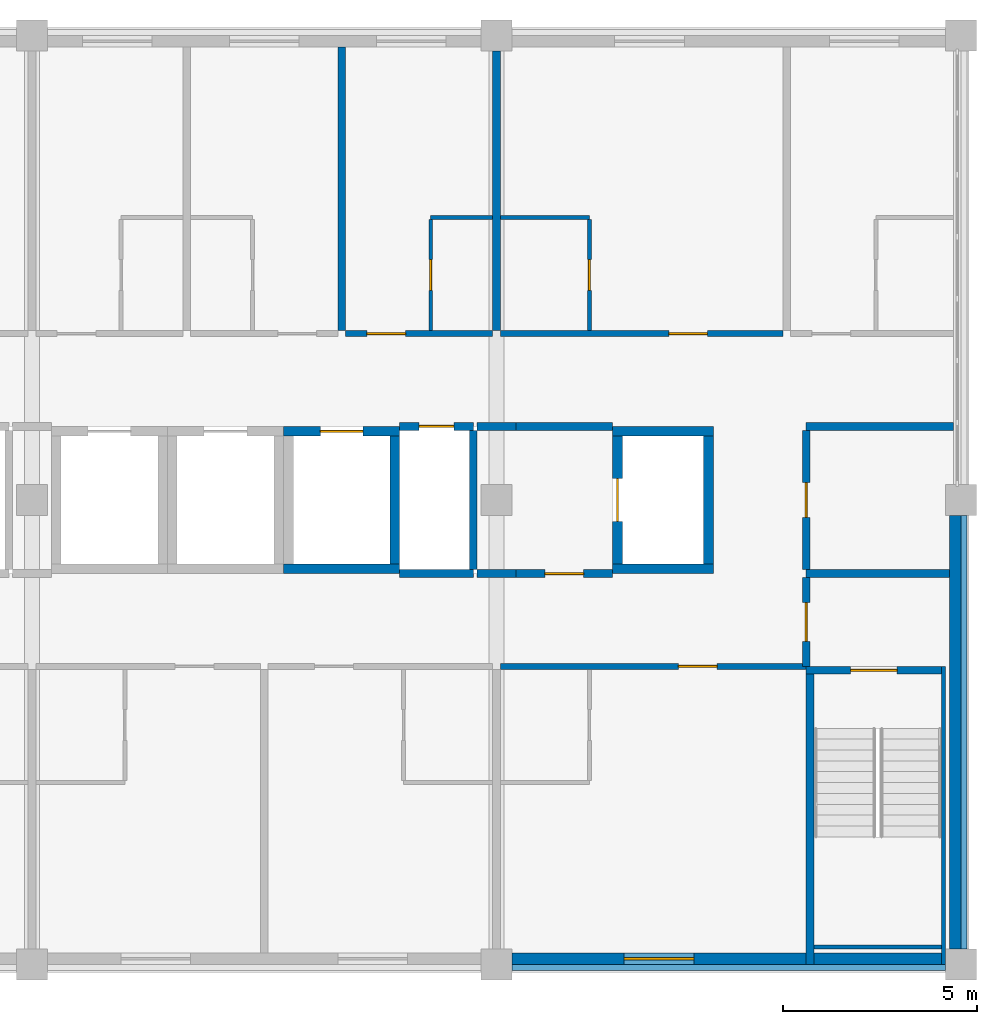
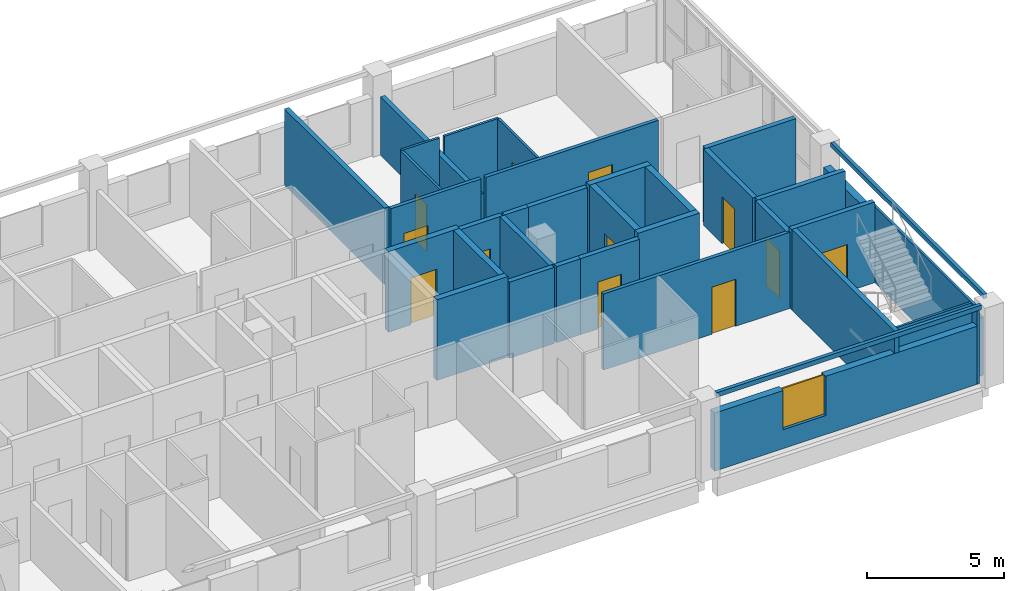
# One storey, part 9 of 11: 35 walls, 12 doors, 1 window, 13 openings.
"""IFC4 building model written with IfcOpenShell, lengths in metres."""

from ifc_helpers import new_model, si_unit, direction, frame, frame_2d, origin, place, context, subcontext, project, spatial, rectangle, extrude, material, layer, layer_set, type_object, element, fill, save


model = new_model("IFC4")

# Units and contexts
model_context = context("Model", 3, precision=1e-05, world=origin(), true_north=direction((0.0, 1.0)))
body_context = subcontext(model_context, "Body", "Model", "MODEL_VIEW")
ifc_project = project(units=[si_unit("LENGTHUNIT", "METRE"), si_unit("AREAUNIT", "SQUARE_METRE"), si_unit("VOLUMEUNIT", "CUBIC_METRE"), si_unit("PLANEANGLEUNIT", "RADIAN"), si_unit("MASSUNIT", "GRAM", prefix="KILO")], contexts=[model_context])

# Site, building, storey
site_placement = place(None, origin())
site = spatial("IfcSite", under=ifc_project, at=site_placement, CompositionType="ELEMENT")
building_placement = place(site_placement, origin())
building = spatial("IfcBuilding", under=site, at=building_placement, Name="Lilac Gate Convention Centre", CompositionType="ELEMENT")
storey_placement = place(building_placement, frame((0.0, 0.0, 42.60009765625)))
storey = spatial("IfcBuildingStorey", under=building, at=storey_placement, Name="L10", CompositionType="ELEMENT", Elevation=42.60009765625)

# Walls
ifc_material_1 = material(Name="Concrete C50", Category="concrete")
ifc_layer_1 = layer(ifc_material_1, 0.10009765625)
ifc_layer_set_1 = layer_set([ifc_layer_1], Name="Concrete C50")
wall_type_1 = type_object("IfcWallType", Name="Core wall 100 C50", PredefinedType="SHEAR", material=ifc_layer_set_1)
wall_1_placement = place(storey_placement, frame((89.550048828125, 229.699951171875, 0.0), z_axis=(0.0, 0.0, 1.0), x_axis=(0.0, -1.0, 0.0)))
element("IfcWall", 1, at=wall_1_placement, inside=storey, type_object=wall_type_1, Name="CRW9 core wall TS-EX L10 1", PredefinedType="SHEAR", context=body_context, shape_type="SweptSolid", body=[
    extrude(rectangle(XDim=7.699951171875, YDim=0.10009765625, at=frame_2d((3.85009765625, 0.0))), origin(), (0.0, 0.0, 1.0), 3.39990234375),
])
wall_2_placement = place(storey_placement, frame((89.5, 222.449951171875, 0.0), z_axis=(0.0, 0.0, 1.0), x_axis=(-1.0, 0.0, 0.0)))
element("IfcWall", 2, at=wall_2_placement, inside=storey, type_object=wall_type_1, Name="CRW9 core wall TS-EX L10 2", PredefinedType="SHEAR", context=body_context, shape_type="SweptSolid", body=[
    extrude(rectangle(XDim=3.300048828125, YDim=0.10009765625, at=frame_2d((1.64990234375, 0.0))), origin(), (0.0, 0.0, 1.0), 3.39990234375),
])

# Wall, opening, door
ifc_layer_2 = layer(ifc_material_1, 0.199951171875)
ifc_layer_set_2 = layer_set([ifc_layer_2], Name="Concrete C50")
wall_type_2 = type_object("IfcWallType", Name="Core wall 200 C50", PredefinedType="SHEAR", material=ifc_layer_set_2)
wall_3_placement = place(storey_placement, frame((89.5, 229.60009765625, 0.0), z_axis=(0.0, 0.0, 1.0), x_axis=(-1.0, 0.0, 0.0)))
wall_3 = element("IfcWall", 3, at=wall_3_placement, inside=storey, type_object=wall_type_2, Name="CRW6 core wall TS-E L10 1", PredefinedType="SHEAR", context=body_context, shape_type="SweptSolid", body=[
    extrude(rectangle(XDim=3.5, YDim=0.199951171875, at=frame_2d((1.75, 0.0))), origin(), (0.0, 0.0, 1.0), 3.599853515625),
])
opening_1_placement = place(wall_3_placement, frame((1.14990234375, 0.0, 0.0)))
opening_1 = element("IfcOpeningElement", 4, at=opening_1_placement, cuts=wall_3, Name="Opening T10-052", PredefinedType="OPENING", context=body_context, shape_type="SweptSolid", body=[
    extrude(rectangle(XDim=1.199951171875, YDim=2.10009765625, at=frame_2d((0.60009765625, 1.050048828125))), frame((0.0, 0.10986328125, 0.0), z_axis=(0.0, -1.0, 0.0), x_axis=(1.0, 0.0, 0.0)), (0.0, 0.0, 1.0), 0.219970703125),
])
ifc_material_2 = material(Name="Steel Q235B", Category="steel")
door_type_1 = type_object("IfcDoorType", Name="Stair door 1200", OperationType="SINGLE_SWING_LEFT", PredefinedType="DOOR", material=ifc_material_2)
door_1_placement = place(opening_1_placement, origin())
door_1 = element("IfcDoor", 5, at=door_1_placement, inside=storey, type_object=door_type_1, Name="Stair door SE L10", OperationType="SINGLE_SWING_RIGHT", OverallHeight=2.10009765625, OverallWidth=1.199951171875, PredefinedType="DOOR", context=body_context, shape_type="SweptSolid", body=[
    extrude(rectangle(XDim=1.199951171875, YDim=2.10009765625, at=frame_2d((0.60009765625, 1.050048828125))), frame((0.0, 0.02490234375, 0.0), z_axis=(0.0, -1.0, 0.0), x_axis=(1.0, 0.0, 0.0)), (0.0, 0.0, 1.0), 0.050048828125),
])
fill(opening_1, door_1)

# Walls
wall_4_placement = place(storey_placement, frame((86.10009765625, 222.0, 0.0), z_axis=(0.0, 0.0, 1.0), x_axis=(0.0, 1.0, 0.0)))
element("IfcWall", 6, at=wall_4_placement, inside=storey, type_object=wall_type_2, Name="CRW6 core wall TS-E L10 2", PredefinedType="SHEAR", context=body_context, shape_type="SweptSolid", body=[
    extrude(rectangle(XDim=7.5, YDim=0.199951171875, at=frame_2d((3.75, 0.0))), origin(), (0.0, 0.0, 1.0), 3.599853515625),
])
ifc_layer_3 = layer(ifc_material_1, 0.25)
ifc_layer_set_3 = layer_set([ifc_layer_3], Name="Concrete C50")
wall_type_3 = type_object("IfcWallType", Name="Core wall 250 C50", PredefinedType="SHEAR", material=ifc_layer_set_3)
wall_5_placement = place(storey_placement, frame((72.5, 232.22509765625, 0.0), z_axis=(0.0, 0.0, 1.0), x_axis=(1.0, 0.0, 0.0)))
element("IfcWall", 7, at=wall_5_placement, inside=storey, type_object=wall_type_3, Name="CRW4 core wall TC L10 21", PredefinedType="SHEAR", context=body_context, shape_type="SweptSolid", body=[
    extrude(rectangle(XDim=3.0, YDim=0.25, at=frame_2d((1.5, 0.0))), origin(), (0.0, 0.0, 1.0), 3.599853515625),
])

# Wall, opening, door
wall_6_placement = place(storey_placement, frame((72.5, 235.77490234375, 0.0), z_axis=(0.0, 0.0, 1.0), x_axis=(1.0, 0.0, 0.0)))
wall_6 = element("IfcWall", 8, at=wall_6_placement, inside=storey, type_object=wall_type_3, Name="CRW4 core wall TC L10 22", PredefinedType="SHEAR", context=body_context, shape_type="SweptSolid", body=[
    extrude(rectangle(XDim=3.0, YDim=0.25, at=frame_2d((1.5, 0.0))), origin(), (0.0, 0.0, 1.0), 3.599853515625),
])
opening_2_placement = place(wall_6_placement, frame((0.949951171875, 0.0, 0.0)))
opening_2 = element("IfcOpeningElement", 9, at=opening_2_placement, cuts=wall_6, Name="Opening T10-047", PredefinedType="OPENING", context=body_context, shape_type="SweptSolid", body=[
    extrude(rectangle(XDim=1.10009765625, YDim=2.10009765625, at=frame_2d((0.550048828125, 1.050048828125))), frame((0.0, 0.135009765625, 0.0), z_axis=(0.0, -1.0, 0.0), x_axis=(1.0, 0.0, 0.0)), (0.0, 0.0, 1.0), 0.27001953125),
])
ifc_material_3 = material(Name="Stainless steel 304", Category="steel")
door_type_2 = type_object("IfcDoorType", Name="Lift landing door 1100", OperationType="SLIDING_TO_LEFT", PredefinedType="DOOR", material=ifc_material_3)
door_2_placement = place(opening_2_placement, origin())
door_2 = element("IfcDoor", 10, at=door_2_placement, inside=storey, type_object=door_type_2, Name="Lift landing door TP6 L10", OperationType="SLIDING_TO_LEFT", OverallHeight=2.10009765625, OverallWidth=1.10009765625, PredefinedType="DOOR", context=body_context, shape_type="SweptSolid", body=[
    extrude(rectangle(XDim=1.10009765625, YDim=2.10009765625, at=frame_2d((0.550048828125, 1.050048828125))), frame((0.0, 0.02490234375, 0.0), z_axis=(0.0, -1.0, 0.0), x_axis=(1.0, 0.0, 0.0)), (0.0, 0.0, 1.0), 0.050048828125),
])
fill(opening_2, door_2)

# Walls
wall_7_placement = place(storey_placement, frame((75.375, 232.35009765625, 0.0), z_axis=(0.0, 0.0, 1.0), x_axis=(0.0, 1.0, 0.0)))
element("IfcWall", 11, at=wall_7_placement, inside=storey, type_object=wall_type_3, Name="CRW4 core wall TC L10 24", PredefinedType="SHEAR", context=body_context, shape_type="SweptSolid", body=[
    extrude(rectangle(XDim=3.2998046875, YDim=0.25, at=frame_2d((1.64990234375, 0.0))), origin(), (0.0, 0.0, 1.0), 3.599853515625),
])
for number, where, z_axis, x_axis, name in (
    (12, (81.0, 232.22509765625, 0.0), (0.0, 0.0, 1.0), (1.0, 0.0, 0.0), "CRW4 core wall TC L10 33"),
    (13, (81.0, 235.77490234375, 0.0), (0.0, 0.0, 1.0), (1.0, 0.0, 0.0), "CRW4 core wall TC L10 34"),
):
    element("IfcWall", number, at=place(storey_placement, frame(where, z_axis=z_axis, x_axis=x_axis)), inside=storey, type_object=wall_type_3, Name=name, PredefinedType="SHEAR", context=body_context, shape_type="SweptSolid", body=[
        extrude(rectangle(XDim=2.60009765625, YDim=0.25, at=frame_2d((1.300048828125, 0.0))), origin(), (0.0, 0.0, 1.0), 3.599853515625),
    ])

# Wall, opening, door
wall_8_placement = place(storey_placement, frame((81.125, 232.35009765625, 0.0), z_axis=(0.0, 0.0, 1.0), x_axis=(0.0, 1.0, 0.0)))
wall_8 = element("IfcWall", 14, at=wall_8_placement, inside=storey, type_object=wall_type_3, Name="CRW4 core wall TC L10 35", PredefinedType="SHEAR", context=body_context, shape_type="SweptSolid", body=[
    extrude(rectangle(XDim=3.2998046875, YDim=0.25, at=frame_2d((1.64990234375, 0.0))), origin(), (0.0, 0.0, 1.0), 3.599853515625),
])
opening_3_placement = place(wall_8_placement, frame((1.10009765625, 0.0, 0.0)))
opening_3 = element("IfcOpeningElement", 15, at=opening_3_placement, cuts=wall_8, Name="Opening T10-050", PredefinedType="OPENING", context=body_context, shape_type="SweptSolid", body=[
    extrude(rectangle(XDim=1.10009765625, YDim=2.10009765625, at=frame_2d((0.550048828125, 1.050048828125))), frame((0.0, 0.135009765625, 0.0), z_axis=(0.0, -1.0, 0.0), x_axis=(1.0, 0.0, 0.0)), (0.0, 0.0, 1.0), 0.27001953125),
])
door_3_placement = place(opening_3_placement, origin())
door_3 = element("IfcDoor", 16, at=door_3_placement, inside=storey, type_object=door_type_2, Name="Lift landing door TF1 L10", OperationType="SLIDING_TO_LEFT", OverallHeight=2.10009765625, OverallWidth=1.10009765625, PredefinedType="DOOR", context=body_context, shape_type="SweptSolid", body=[
    extrude(rectangle(XDim=1.10009765625, YDim=2.10009765625, at=frame_2d((0.550048828125, 1.050048828125))), frame((0.0, 0.02490234375, 0.0), z_axis=(0.0, -1.0, 0.0), x_axis=(1.0, 0.0, 0.0)), (0.0, 0.0, 1.0), 0.050048828125),
])
fill(opening_3, door_3)

# Wall
wall_9_placement = place(storey_placement, frame((83.47509765625, 232.35009765625, 0.0), z_axis=(0.0, 0.0, 1.0), x_axis=(0.0, 1.0, 0.0)))
element("IfcWall", 17, at=wall_9_placement, inside=storey, type_object=wall_type_3, Name="CRW4 core wall TC L10 36", PredefinedType="SHEAR", context=body_context, shape_type="SweptSolid", body=[
    extrude(rectangle(XDim=3.2998046875, YDim=0.25, at=frame_2d((1.64990234375, 0.0))), origin(), (0.0, 0.0, 1.0), 3.599853515625),
])

# Wall, opening, door
ifc_material_4 = material(Name="Gypsum board on steel stud", Category="steel")
ifc_layer_4 = layer(ifc_material_4, 0.14990234375)
ifc_layer_set_4 = layer_set([ifc_layer_4], Name="Gypsum board on steel stud")
wall_type_4 = type_object("IfcWallType", Name="Corridor wall 150", PredefinedType="PARTITIONING", material=ifc_layer_set_4)
wall_10_placement = place(storey_placement, frame((86.0, 229.699951171875, 0.0), z_axis=(0.0, 0.0, 1.0), x_axis=(-1.0, 0.0, 0.0)))
wall_10 = element("IfcWall", 18, at=wall_10_placement, inside=storey, type_object=wall_type_4, Name="Corridor wall 150 front 1008", PredefinedType="PARTITIONING", context=body_context, shape_type="SweptSolid", body=[
    extrude(rectangle(XDim=7.89990234375, YDim=0.14990234375, at=frame_2d((3.949951171875, 0.0))), origin(), (0.0, 0.0, 1.0), 3.39990234375),
])
opening_4_placement = place(wall_10_placement, frame((2.300048828125, 0.0, 0.0)))
opening_4 = element("IfcOpeningElement", 19, at=opening_4_placement, cuts=wall_10, Name="Opening T10-022", PredefinedType="OPENING", context=body_context, shape_type="SweptSolid", body=[
    extrude(rectangle(XDim=1.0, YDim=2.10009765625, at=frame_2d((0.5, 1.050048828125))), frame((0.0, 0.0849609375, 0.0), z_axis=(0.0, -1.0, 0.0), x_axis=(1.0, 0.0, 0.0)), (0.0, 0.0, 1.0), 0.169921875),
])
ifc_material_5 = material(Name="Timber", Category="wood")
door_type_3 = type_object("IfcDoorType", Name="Guest room entrance door 1000", OperationType="SINGLE_SWING_LEFT", PredefinedType="DOOR", material=ifc_material_5)
door_4_placement = place(opening_4_placement, origin())
door_4 = element("IfcDoor", 20, at=door_4_placement, inside=storey, type_object=door_type_3, Name="Guest room door 1008", OperationType="SINGLE_SWING_RIGHT", OverallHeight=2.10009765625, OverallWidth=1.0, PredefinedType="DOOR", context=body_context, shape_type="SweptSolid", body=[
    extrude(rectangle(XDim=1.0, YDim=2.10009765625, at=frame_2d((0.5, 1.050048828125))), frame((0.0, 0.02490234375, 0.0), z_axis=(0.0, -1.0, 0.0), x_axis=(1.0, 0.0, 0.0)), (0.0, 0.0, 1.0), 0.050048828125),
])
fill(opening_4, door_4)

wall_11_placement = place(storey_placement, frame((74.10009765625, 238.300048828125, 0.0), z_axis=(0.0, 0.0, 1.0), x_axis=(1.0, 0.0, 0.0)))
wall_11 = element("IfcWall", 21, at=wall_11_placement, inside=storey, type_object=wall_type_4, Name="Corridor wall 150 front 1015", PredefinedType="PARTITIONING", context=body_context, shape_type="SweptSolid", body=[
    extrude(rectangle(XDim=3.7998046875, YDim=0.14990234375, at=frame_2d((1.89990234375, 0.0))), origin(), (0.0, 0.0, 1.0), 3.39990234375),
])
opening_5_placement = place(wall_11_placement, frame((0.550048828125, 0.0, 0.0)))
opening_5 = element("IfcOpeningElement", 22, at=opening_5_placement, cuts=wall_11, Name="Opening T10-036", PredefinedType="OPENING", context=body_context, shape_type="SweptSolid", body=[
    extrude(rectangle(XDim=1.0, YDim=2.10009765625, at=frame_2d((0.5, 1.050048828125))), frame((0.0, 0.0849609375, 0.0), z_axis=(0.0, -1.0, 0.0), x_axis=(1.0, 0.0, 0.0)), (0.0, 0.0, 1.0), 0.169921875),
])
door_5_placement = place(opening_5_placement, origin())
door_5 = element("IfcDoor", 23, at=door_5_placement, inside=storey, type_object=door_type_3, Name="Guest room door 1015", OperationType="SINGLE_SWING_LEFT", OverallHeight=2.10009765625, OverallWidth=1.0, PredefinedType="DOOR", context=body_context, shape_type="SweptSolid", body=[
    extrude(rectangle(XDim=1.0, YDim=2.10009765625, at=frame_2d((0.5, 1.050048828125))), frame((0.0, 0.02490234375, 0.0), z_axis=(0.0, -1.0, 0.0), x_axis=(1.0, 0.0, 0.0)), (0.0, 0.0, 1.0), 0.050048828125),
])
fill(opening_5, door_5)

wall_12_placement = place(storey_placement, frame((78.10009765625, 238.300048828125, 0.0), z_axis=(0.0, 0.0, 1.0), x_axis=(1.0, 0.0, 0.0)))
wall_12 = element("IfcWall", 24, at=wall_12_placement, inside=storey, type_object=wall_type_4, Name="Corridor wall 150 front 1016", PredefinedType="PARTITIONING", context=body_context, shape_type="SweptSolid", body=[
    extrude(rectangle(XDim=7.2998046875, YDim=0.14990234375, at=frame_2d((3.64990234375, 0.0))), origin(), (0.0, 0.0, 1.0), 3.39990234375),
])
opening_6_placement = place(wall_12_placement, frame((4.35009765625, 0.0, 0.0)))
opening_6 = element("IfcOpeningElement", 25, at=opening_6_placement, cuts=wall_12, Name="Opening T10-038", PredefinedType="OPENING", context=body_context, shape_type="SweptSolid", body=[
    extrude(rectangle(XDim=1.0, YDim=2.10009765625, at=frame_2d((0.5, 1.050048828125))), frame((0.0, 0.0849609375, 0.0), z_axis=(0.0, -1.0, 0.0), x_axis=(1.0, 0.0, 0.0)), (0.0, 0.0, 1.0), 0.169921875),
])
door_6_placement = place(opening_6_placement, origin())
door_6 = element("IfcDoor", 26, at=door_6_placement, inside=storey, type_object=door_type_3, Name="Guest room door 1016", OperationType="SINGLE_SWING_LEFT", OverallHeight=2.10009765625, OverallWidth=1.0, PredefinedType="DOOR", context=body_context, shape_type="SweptSolid", body=[
    extrude(rectangle(XDim=1.0, YDim=2.10009765625, at=frame_2d((0.5, 1.050048828125))), frame((0.0, 0.02490234375, 0.0), z_axis=(0.0, -1.0, 0.0), x_axis=(1.0, 0.0, 0.0)), (0.0, 0.0, 1.0), 0.050048828125),
])
fill(opening_6, door_6)

# Wall
ifc_layer_5 = layer(ifc_material_4, 0.10009765625)
ifc_layer_set_5 = layer_set([ifc_layer_5], Name="Gypsum board on steel stud")
wall_type_5 = type_object("IfcWallType", Name="En-suite wall 100", PredefinedType="PARTITIONING", material=ifc_layer_set_5)
wall_13_placement = place(storey_placement, frame((76.300048828125, 241.300048828125, 0.0), z_axis=(0.0, 0.0, 1.0), x_axis=(1.0, 0.0, 0.0)))
element("IfcWall", 27, at=wall_13_placement, inside=storey, type_object=wall_type_5, Name="En-suite wall 100 bath 1015", PredefinedType="PARTITIONING", context=body_context, shape_type="SweptSolid", body=[
    extrude(rectangle(XDim=1.599853515625, YDim=0.10009765625, at=frame_2d((0.7998046875, 0.0))), origin(), (0.0, 0.0, 1.0), 3.39990234375),
])

# Wall, opening, door
wall_14_placement = place(storey_placement, frame((76.300048828125, 238.375, 0.0), z_axis=(0.0, 0.0, 1.0), x_axis=(0.0, 1.0, 0.0)))
wall_14 = element("IfcWall", 28, at=wall_14_placement, inside=storey, type_object=wall_type_5, Name="En-suite wall 100 bath side 1015", PredefinedType="PARTITIONING", context=body_context, shape_type="SweptSolid", body=[
    extrude(rectangle(XDim=2.875, YDim=0.10009765625, at=frame_2d((1.4375, 0.0))), origin(), (0.0, 0.0, 1.0), 3.39990234375),
])
opening_7_placement = place(wall_14_placement, frame((1.03759765625, 0.0, 0.0)))
opening_7 = element("IfcOpeningElement", 29, at=opening_7_placement, cuts=wall_14, Name="Opening T10-037", PredefinedType="OPENING", context=body_context, shape_type="SweptSolid", body=[
    extrude(rectangle(XDim=0.800048828125, YDim=2.10009765625, at=frame_2d((0.39990234375, 1.050048828125))), frame((0.0, 0.06005859375, 0.0), z_axis=(0.0, -1.0, 0.0), x_axis=(1.0, 0.0, 0.0)), (0.0, 0.0, 1.0), 0.1201171875),
])
door_type_4 = type_object("IfcDoorType", Name="En-suite door 800", OperationType="SINGLE_SWING_LEFT", PredefinedType="DOOR", material=ifc_material_5)
door_7_placement = place(opening_7_placement, origin())
door_7 = element("IfcDoor", 30, at=door_7_placement, inside=storey, type_object=door_type_4, Name="En-suite door 1015", OperationType="SINGLE_SWING_LEFT", OverallHeight=2.10009765625, OverallWidth=0.800048828125, PredefinedType="DOOR", context=body_context, shape_type="SweptSolid", body=[
    extrude(rectangle(XDim=0.800048828125, YDim=2.10009765625, at=frame_2d((0.39990234375, 1.050048828125))), frame((0.0, 0.02490234375, 0.0), z_axis=(0.0, -1.0, 0.0), x_axis=(1.0, 0.0, 0.0)), (0.0, 0.0, 1.0), 0.050048828125),
])
fill(opening_7, door_7)

# Wall
wall_15_placement = place(storey_placement, frame((78.10009765625, 241.300048828125, 0.0), z_axis=(0.0, 0.0, 1.0), x_axis=(1.0, 0.0, 0.0)))
element("IfcWall", 31, at=wall_15_placement, inside=storey, type_object=wall_type_5, Name="En-suite wall 100 bath 1016", PredefinedType="PARTITIONING", context=body_context, shape_type="SweptSolid", body=[
    extrude(rectangle(XDim=2.2998046875, YDim=0.10009765625, at=frame_2d((1.14990234375, 0.0))), origin(), (0.0, 0.0, 1.0), 3.39990234375),
])

# Wall, opening, door
wall_16_placement = place(storey_placement, frame((80.39990234375, 241.25, 0.0), z_axis=(0.0, 0.0, 1.0), x_axis=(0.0, -1.0, 0.0)))
wall_16 = element("IfcWall", 32, at=wall_16_placement, inside=storey, type_object=wall_type_5, Name="En-suite wall 100 bath side 1016", PredefinedType="PARTITIONING", context=body_context, shape_type="SweptSolid", body=[
    extrude(rectangle(XDim=2.875, YDim=0.10009765625, at=frame_2d((1.4375, 0.0))), origin(), (0.0, 0.0, 1.0), 3.39990234375),
])
opening_8_placement = place(wall_16_placement, frame((1.03759765625, 0.0, 0.0)))
opening_8 = element("IfcOpeningElement", 33, at=opening_8_placement, cuts=wall_16, Name="Opening T10-039", PredefinedType="OPENING", context=body_context, shape_type="SweptSolid", body=[
    extrude(rectangle(XDim=0.800048828125, YDim=2.10009765625, at=frame_2d((0.39990234375, 1.050048828125))), frame((0.0, 0.06005859375, 0.0), z_axis=(0.0, -1.0, 0.0), x_axis=(1.0, 0.0, 0.0)), (0.0, 0.0, 1.0), 0.1201171875),
])
door_8_placement = place(opening_8_placement, origin())
door_8 = element("IfcDoor", 34, at=door_8_placement, inside=storey, type_object=door_type_4, Name="En-suite door 1016", OperationType="SINGLE_SWING_RIGHT", OverallHeight=2.10009765625, OverallWidth=0.800048828125, PredefinedType="DOOR", context=body_context, shape_type="SweptSolid", body=[
    extrude(rectangle(XDim=0.800048828125, YDim=2.10009765625, at=frame_2d((0.39990234375, 1.050048828125))), frame((0.0, 0.02490234375, 0.0), z_axis=(0.0, -1.0, 0.0), x_axis=(1.0, 0.0, 0.0)), (0.0, 0.0, 1.0), 0.050048828125),
])
fill(opening_8, door_8)

# Walls
ifc_layer_6 = layer(ifc_material_4, 0.199951171875)
ifc_layer_set_6 = layer_set([ifc_layer_6], Name="Gypsum board on steel stud")
wall_type_6 = type_object("IfcWallType", Name="Guest room party wall 200", PredefinedType="PARTITIONING", material=ifc_layer_set_6)
wall_17_placement = place(storey_placement, frame((74.0, 245.7001953125, 0.0), z_axis=(0.0, 0.0, 1.0), x_axis=(0.0, -1.0, 0.0)))
element("IfcWall", 35, at=wall_17_placement, inside=storey, type_object=wall_type_6, Name="Guest room party wall 200 party 74.0", PredefinedType="PARTITIONING", context=body_context, shape_type="SweptSolid", body=[
    extrude(rectangle(XDim=7.3251953125, YDim=0.199951171875, at=frame_2d((3.66259765625, 0.0))), origin(), (0.0, 0.0, 1.0), 3.39990234375),
])
wall_18_placement = place(storey_placement, frame((78.0, 245.60009765625, 0.0), z_axis=(0.0, 0.0, 1.0), x_axis=(0.0, -1.0, 0.0)))
element("IfcWall", 36, at=wall_18_placement, inside=storey, type_object=wall_type_6, Name="Guest room party wall 200 party 78.0", PredefinedType="PARTITIONING", context=body_context, shape_type="SweptSolid", body=[
    extrude(rectangle(XDim=7.22509765625, YDim=0.199951171875, at=frame_2d((3.612548828125, 0.0))), origin(), (0.0, 0.0, 1.0), 2.599853515625),
])

# Wall, opening, door
ifc_layer_7 = layer(ifc_material_4, 0.199951171875)
ifc_layer_set_7 = layer_set([ifc_layer_7], Name="Gypsum board on steel stud")
wall_type_7 = type_object("IfcWallType", Name="Lobby wall 200", PredefinedType="PARTITIONING", material=ifc_layer_set_7)
wall_19_placement = place(storey_placement, frame((78.5, 232.10009765625, 0.0), z_axis=(0.0, 0.0, 1.0), x_axis=(1.0, 0.0, 0.0)))
wall_19 = element("IfcWall", 37, at=wall_19_placement, inside=storey, type_object=wall_type_7, Name="Lobby wall 200 FFL-S", PredefinedType="PARTITIONING", context=body_context, shape_type="SweptSolid", body=[
    extrude(rectangle(XDim=2.5, YDim=0.199951171875, at=frame_2d((1.25, 0.0))), origin(), (0.0, 0.0, 1.0), 3.39990234375),
])
opening_9_placement = place(wall_19_placement, frame((0.75, 0.0, 0.0)))
opening_9 = element("IfcOpeningElement", 38, at=opening_9_placement, cuts=wall_19, Name="Opening T10-004", PredefinedType="OPENING", context=body_context, shape_type="SweptSolid", body=[
    extrude(rectangle(XDim=1.0, YDim=2.10009765625, at=frame_2d((0.5, 1.050048828125))), frame((0.0, 0.10986328125, 0.0), z_axis=(0.0, -1.0, 0.0), x_axis=(1.0, 0.0, 0.0)), (0.0, 0.0, 1.0), 0.219970703125),
])
door_type_5 = type_object("IfcDoorType", Name="Lobby door 1000", OperationType="SINGLE_SWING_LEFT", PredefinedType="DOOR", material=ifc_material_2)
door_9_placement = place(opening_9_placement, origin())
door_9 = element("IfcDoor", 39, at=door_9_placement, inside=storey, type_object=door_type_5, Name="Firefighting lobby door", OperationType="SINGLE_SWING_RIGHT", OverallHeight=2.10009765625, OverallWidth=1.0, PredefinedType="DOOR", context=body_context, shape_type="SweptSolid", body=[
    extrude(rectangle(XDim=1.0, YDim=2.10009765625, at=frame_2d((0.5, 1.050048828125))), frame((0.0, 0.02490234375, 0.0), z_axis=(0.0, -1.0, 0.0), x_axis=(1.0, 0.0, 0.0)), (0.0, 0.0, 1.0), 0.050048828125),
])
fill(opening_9, door_9)

# Walls
wall_20_placement = place(storey_placement, frame((86.0, 232.10009765625, 0.0), z_axis=(0.0, 0.0, 1.0), x_axis=(1.0, 0.0, 0.0)))
element("IfcWall", 40, at=wall_20_placement, inside=storey, type_object=wall_type_7, Name="Lobby wall 200 STL-N", PredefinedType="PARTITIONING", context=body_context, shape_type="SweptSolid", body=[
    extrude(rectangle(XDim=3.7001953125, YDim=0.199951171875, at=frame_2d((1.85009765625, 0.0))), origin(), (0.0, 0.0, 1.0), 3.39990234375),
])
wall_21_placement = place(storey_placement, frame((78.5, 235.89990234375, 0.0), z_axis=(0.0, 0.0, 1.0), x_axis=(1.0, 0.0, 0.0)))
element("IfcWall", 41, at=wall_21_placement, inside=storey, type_object=wall_type_7, Name="Lobby wall 200 FFL-N", PredefinedType="PARTITIONING", context=body_context, shape_type="SweptSolid", body=[
    extrude(rectangle(XDim=2.5, YDim=0.199951171875, at=frame_2d((1.25, 0.0))), origin(), (0.0, 0.0, 1.0), 3.39990234375),
])

# Wall, opening, door
wall_22_placement = place(storey_placement, frame((86.0, 232.0, 0.0), z_axis=(0.0, 0.0, 1.0), x_axis=(0.0, -1.0, 0.0)))
wall_22 = element("IfcWall", 42, at=wall_22_placement, inside=storey, type_object=wall_type_7, Name="Lobby wall 200 STL-SE-W", PredefinedType="PARTITIONING", context=body_context, shape_type="SweptSolid", body=[
    extrude(rectangle(XDim=2.300048828125, YDim=0.199951171875, at=frame_2d((1.14990234375, 0.0))), origin(), (0.0, 0.0, 1.0), 3.39990234375),
])
opening_10_placement = place(wall_22_placement, frame((0.64990234375, 0.0, 0.0)))
opening_10 = element("IfcOpeningElement", 43, at=opening_10_placement, cuts=wall_22, Name="Opening T10-007", PredefinedType="OPENING", context=body_context, shape_type="SweptSolid", body=[
    extrude(rectangle(XDim=1.0, YDim=2.10009765625, at=frame_2d((0.5, 1.050048828125))), frame((0.0, 0.10986328125, 0.0), z_axis=(0.0, -1.0, 0.0), x_axis=(1.0, 0.0, 0.0)), (0.0, 0.0, 1.0), 0.219970703125),
])
door_10_placement = place(opening_10_placement, origin())
door_10 = element("IfcDoor", 44, at=door_10_placement, inside=storey, type_object=door_type_5, Name="Stair lobby door SE", OperationType="SINGLE_SWING_LEFT", OverallHeight=2.10009765625, OverallWidth=1.0, PredefinedType="DOOR", context=body_context, shape_type="SweptSolid", body=[
    extrude(rectangle(XDim=1.0, YDim=2.10009765625, at=frame_2d((0.5, 1.050048828125))), frame((0.0, 0.02490234375, 0.0), z_axis=(0.0, -1.0, 0.0), x_axis=(1.0, 0.0, 0.0)), (0.0, 0.0, 1.0), 0.050048828125),
])
fill(opening_10, door_10)

# Walls
ifc_material_6 = material(Name="Concrete C40 precast", Category="concrete")
ifc_layer_8 = layer(ifc_material_6, 0.1298828125)
ifc_material_7 = material(Name="Teal glazed cladding")
ifc_layer_9 = layer(ifc_material_7, 0.02001953125)
ifc_layer_set_8 = layer_set([ifc_layer_8, ifc_layer_9], Name="Concrete C40 precast, Teal glazed cladding")
wall_type_8 = type_object("IfcWallType", Name="Precast band teal 150", PredefinedType="STANDARD", material=ifc_layer_set_8)
for number, where, z_axis, x_axis, name in (
    (45, (78.39990234375, 221.925048828125, 3.39990234375), (0.0, 0.0, 1.0), (1.0, 0.0, 0.0), "Precast band S L10 4"),
    (46, (90.074951171875, 222.39990234375, 3.39990234375), (0.0, 0.0, 1.0), (0.0, 1.0, 0.0), "Precast band E L10 1"),
):
    element("IfcWall", number, at=place(storey_placement, frame(where, z_axis=z_axis, x_axis=x_axis)), inside=storey, type_object=wall_type_8, Name=name, PredefinedType="STANDARD", context=body_context, shape_type="SweptSolid", body=[
        extrude(rectangle(XDim=11.2001953125, YDim=0.14990234375, at=frame_2d((5.60009765625, 0.0))), origin(), (0.0, 0.0, 1.0), 0.199951171875),
    ])

# Wall, opening, window
ifc_material_8 = material(Name="Ochre mineral render")
ifc_layer_10 = layer(ifc_material_8, 0.02001953125)
ifc_layer_11 = layer(ifc_material_6, 0.06005859375)
ifc_material_9 = material(Name="Ventilated air cavity")
ifc_layer_12 = layer(ifc_material_9, 0.030029296875)
ifc_material_10 = material(Name="Mineral wool insulation")
ifc_layer_13 = layer(ifc_material_10, 0.1201171875)
ifc_material_11 = material(Name="Steel stud Q345 and gypsum lining", Category="steel")
ifc_layer_14 = layer(ifc_material_11, 0.070068359375)
ifc_layer_set_9 = layer_set([ifc_layer_10, ifc_layer_11, ifc_layer_12, ifc_layer_13, ifc_layer_14], Name="Ochre mineral render, Concrete C40 precast, Ventilated air cavity, Mineral wool insulation, Steel stud Q345 and gypsum lining")
wall_type_9 = type_object("IfcWallType", Name="Precast panel wall ochre 300", PredefinedType="STANDARD", material=ifc_layer_set_9)
wall_23_placement = place(storey_placement, frame((78.39990234375, 222.14990234375, 0.0), z_axis=(0.0, 0.0, 1.0), x_axis=(1.0, 0.0, 0.0)))
wall_23 = element("IfcWall", 47, at=wall_23_placement, inside=storey, type_object=wall_type_9, Name="External wall S L10 4", PredefinedType="STANDARD", context=body_context, shape_type="SweptSolid", body=[
    extrude(rectangle(XDim=11.2001953125, YDim=0.300048828125, at=frame_2d((5.60009765625, 0.0))), origin(), (0.0, 0.0, 1.0), 2.599853515625),
])
opening_11_placement = place(wall_23_placement, frame((2.89990234375, 0.0, 0.85009765625)))
opening_11 = element("IfcOpeningElement", 48, at=opening_11_placement, cuts=wall_23, Name="Opening W1", PredefinedType="OPENING", context=body_context, shape_type="SweptSolid", body=[
    extrude(rectangle(XDim=1.800048828125, YDim=1.75, at=frame_2d((0.89990234375, 0.875))), frame((0.0, 0.159912109375, 0.0), z_axis=(0.0, -1.0, 0.0), x_axis=(1.0, 0.0, 0.0)), (0.0, 0.0, 1.0), 0.320068359375),
])
ifc_material_12 = material(Name="Aluminium framed double glazing", Category="aluminium")
window_type = type_object("IfcWindowType", Name="Guest room window 1800 x 1750", PartitioningType="DOUBLE_PANEL_VERTICAL", PredefinedType="WINDOW", material=ifc_material_12)
window_placement = place(opening_11_placement, origin())
window = element("IfcWindow", 49, at=window_placement, inside=storey, type_object=window_type, Name="Window Guest S L10", OverallHeight=1.75, OverallWidth=1.800048828125, PartitioningType="SINGLE_PANEL", PredefinedType="WINDOW", context=body_context, shape_type="SweptSolid", body=[
    extrude(rectangle(XDim=1.800048828125, YDim=1.75, at=frame_2d((0.89990234375, 0.875))), frame((0.0, 0.030029296875, 0.0), z_axis=(0.0, -1.0, 0.0), x_axis=(1.0, 0.0, 0.0)), (0.0, 0.0, 1.0), 0.06005859375),
])
fill(opening_11, window)

# Walls
wall_24_placement = place(storey_placement, frame((89.85009765625, 222.39990234375, 0.0), z_axis=(0.0, 0.0, 1.0), x_axis=(0.0, 1.0, 0.0)))
element("IfcWall", 50, at=wall_24_placement, inside=storey, type_object=wall_type_9, Name="External wall E L10 1", PredefinedType="STANDARD", context=body_context, shape_type="SweptSolid", body=[
    extrude(rectangle(XDim=11.2001953125, YDim=0.300048828125, at=frame_2d((5.60009765625, 0.0))), origin(), (0.0, 0.0, 1.0), 2.599853515625),
])
ifc_layer_15 = layer(ifc_material_4, 0.199951171875)
ifc_layer_set_10 = layer_set([ifc_layer_15], Name="Gypsum board on steel stud")
wall_type_10 = type_object("IfcWallType", Name="Riser and store wall 200", PredefinedType="PARTITIONING", material=ifc_layer_set_10)
wall_25_placement = place(storey_placement, frame((75.5, 232.10009765625, 0.0), z_axis=(0.0, 0.0, 1.0), x_axis=(1.0, 0.0, 0.0)))
element("IfcWall", 51, at=wall_25_placement, inside=storey, type_object=wall_type_10, Name="Riser and store wall 200 RS2-S", PredefinedType="PARTITIONING", context=body_context, shape_type="SweptSolid", body=[
    extrude(rectangle(XDim=1.89990234375, YDim=0.199951171875, at=frame_2d((0.949951171875, 0.0))), origin(), (0.0, 0.0, 1.0), 3.39990234375),
])
wall_26_placement = place(storey_placement, frame((77.5, 232.10009765625, 0.0), z_axis=(0.0, 0.0, 1.0), x_axis=(1.0, 0.0, 0.0)))
element("IfcWall", 52, at=wall_26_placement, inside=storey, type_object=wall_type_10, Name="Riser and store wall 200 NICHE3-S", PredefinedType="PARTITIONING", context=body_context, shape_type="SweptSolid", body=[
    extrude(rectangle(XDim=1.0, YDim=0.199951171875, at=frame_2d((0.5, 0.0))), origin(), (0.0, 0.0, 1.0), 3.39990234375),
])

# Wall, opening, door
wall_27_placement = place(storey_placement, frame((77.39990234375, 235.89990234375, 0.0), z_axis=(0.0, 0.0, 1.0), x_axis=(-1.0, 0.0, 0.0)))
wall_27 = element("IfcWall", 53, at=wall_27_placement, inside=storey, type_object=wall_type_10, Name="Riser and store wall 200 RS2-N", PredefinedType="PARTITIONING", context=body_context, shape_type="SweptSolid", body=[
    extrude(rectangle(XDim=1.89990234375, YDim=0.199951171875, at=frame_2d((0.949951171875, 0.0))), origin(), (0.0, 0.0, 1.0), 3.39990234375),
])
opening_12_placement = place(wall_27_placement, frame((0.5, 0.0, 0.0)))
opening_12 = element("IfcOpeningElement", 54, at=opening_12_placement, cuts=wall_27, Name="Opening T10-003", PredefinedType="OPENING", context=body_context, shape_type="SweptSolid", body=[
    extrude(rectangle(XDim=0.89990234375, YDim=2.10009765625, at=frame_2d((0.449951171875, 1.050048828125))), frame((0.0, 0.10986328125, 0.0), z_axis=(0.0, -1.0, 0.0), x_axis=(1.0, 0.0, 0.0)), (0.0, 0.0, 1.0), 0.219970703125),
])
door_type_6 = type_object("IfcDoorType", Name="Riser and store door 900", OperationType="SINGLE_SWING_LEFT", PredefinedType="DOOR", material=ifc_material_2)
door_11_placement = place(opening_12_placement, origin())
door_11 = element("IfcDoor", 55, at=door_11_placement, inside=storey, type_object=door_type_6, Name="Riser room door", OperationType="SINGLE_SWING_LEFT", OverallHeight=2.10009765625, OverallWidth=0.89990234375, PredefinedType="DOOR", context=body_context, shape_type="SweptSolid", body=[
    extrude(rectangle(XDim=0.89990234375, YDim=2.10009765625, at=frame_2d((0.449951171875, 1.050048828125))), frame((0.0, 0.02490234375, 0.0), z_axis=(0.0, -1.0, 0.0), x_axis=(1.0, 0.0, 0.0)), (0.0, 0.0, 1.0), 0.050048828125),
])
fill(opening_12, door_11)

# Walls
wall_28_placement = place(storey_placement, frame((77.5, 235.89990234375, 0.0), z_axis=(0.0, 0.0, 1.0), x_axis=(1.0, 0.0, 0.0)))
element("IfcWall", 56, at=wall_28_placement, inside=storey, type_object=wall_type_10, Name="Riser and store wall 200 NICHE3-N", PredefinedType="PARTITIONING", context=body_context, shape_type="SweptSolid", body=[
    extrude(rectangle(XDim=1.0, YDim=0.199951171875, at=frame_2d((0.5, 0.0))), origin(), (0.0, 0.0, 1.0), 3.39990234375),
])
wall_29_placement = place(storey_placement, frame((86.0, 235.89990234375, 0.0), z_axis=(0.0, 0.0, 1.0), x_axis=(1.0, 0.0, 0.0)))
element("IfcWall", 57, at=wall_29_placement, inside=storey, type_object=wall_type_10, Name="Riser and store wall 200 STE-N", PredefinedType="PARTITIONING", context=body_context, shape_type="SweptSolid", body=[
    extrude(rectangle(XDim=3.7998046875, YDim=0.199951171875, at=frame_2d((1.89990234375, 0.0))), origin(), (0.0, 0.0, 1.0), 3.39990234375),
])
wall_30_placement = place(storey_placement, frame((77.39990234375, 232.199951171875, 0.0), z_axis=(0.0, 0.0, 1.0), x_axis=(0.0, 1.0, 0.0)))
element("IfcWall", 58, at=wall_30_placement, inside=storey, type_object=wall_type_10, Name="Riser and store wall 200 RS2-E", PredefinedType="PARTITIONING", context=body_context, shape_type="SweptSolid", body=[
    extrude(rectangle(XDim=3.60009765625, YDim=0.199951171875, at=frame_2d((1.800048828125, 0.0))), origin(), (0.0, 0.0, 1.0), 3.39990234375),
])

# Wall, opening, door
wall_31_placement = place(storey_placement, frame((86.0, 235.800048828125, 0.0), z_axis=(0.0, 0.0, 1.0), x_axis=(0.0, -1.0, 0.0)))
wall_31 = element("IfcWall", 59, at=wall_31_placement, inside=storey, type_object=wall_type_10, Name="Riser and store wall 200 STE-W", PredefinedType="PARTITIONING", context=body_context, shape_type="SweptSolid", body=[
    extrude(rectangle(XDim=3.60009765625, YDim=0.199951171875, at=frame_2d((1.800048828125, 0.0))), origin(), (0.0, 0.0, 1.0), 3.39990234375),
])
opening_13_placement = place(wall_31_placement, frame((1.35009765625, 0.0, 0.0)))
opening_13 = element("IfcOpeningElement", 60, at=opening_13_placement, cuts=wall_31, Name="Opening T10-005", PredefinedType="OPENING", context=body_context, shape_type="SweptSolid", body=[
    extrude(rectangle(XDim=0.89990234375, YDim=2.10009765625, at=frame_2d((0.449951171875, 1.050048828125))), frame((0.0, 0.10986328125, 0.0), z_axis=(0.0, -1.0, 0.0), x_axis=(1.0, 0.0, 0.0)), (0.0, 0.0, 1.0), 0.219970703125),
])
door_12_placement = place(opening_13_placement, origin())
door_12 = element("IfcDoor", 61, at=door_12_placement, inside=storey, type_object=door_type_6, Name="Linen store door", OperationType="SINGLE_SWING_LEFT", OverallHeight=2.10009765625, OverallWidth=0.89990234375, PredefinedType="DOOR", context=body_context, shape_type="SweptSolid", body=[
    extrude(rectangle(XDim=0.89990234375, YDim=2.10009765625, at=frame_2d((0.449951171875, 1.050048828125))), frame((0.0, 0.02490234375, 0.0), z_axis=(0.0, -1.0, 0.0), x_axis=(1.0, 0.0, 0.0)), (0.0, 0.0, 1.0), 0.050048828125),
])
fill(opening_13, door_12)

save(model, "model.ifc")
